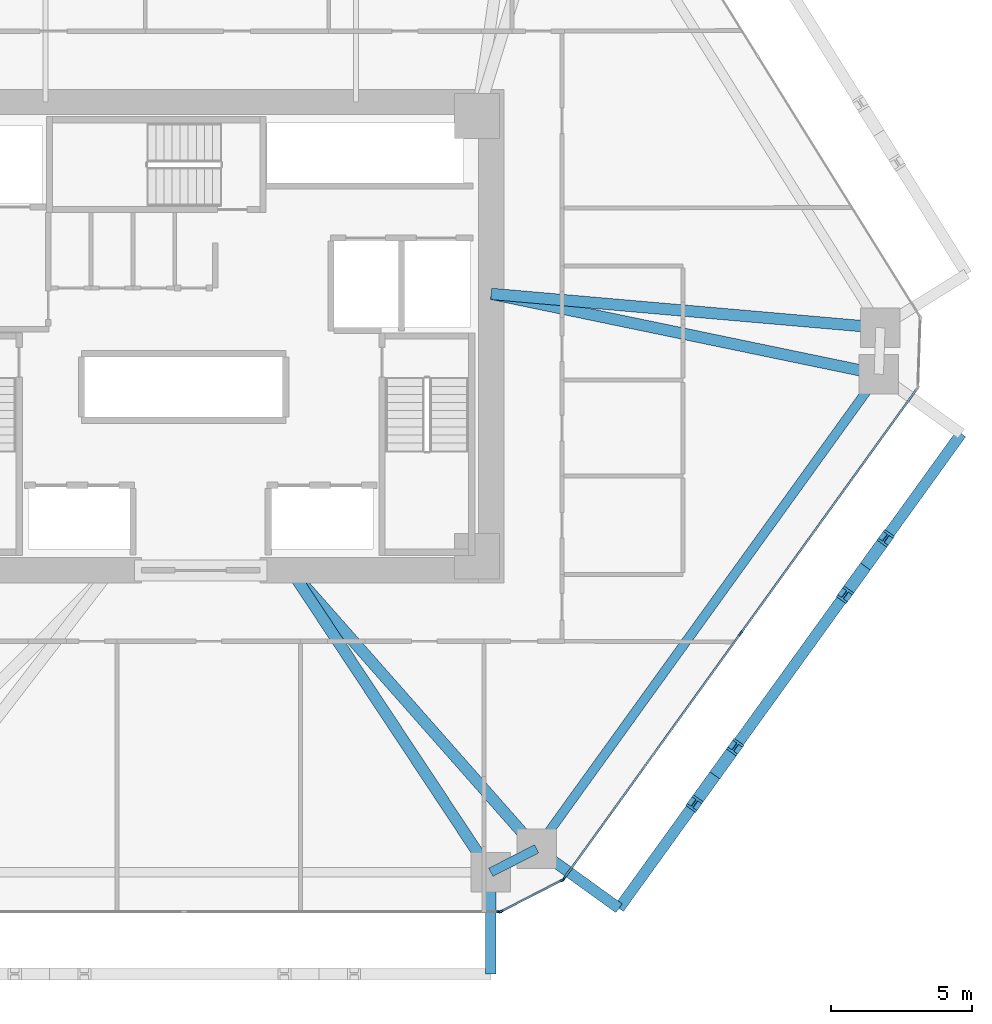
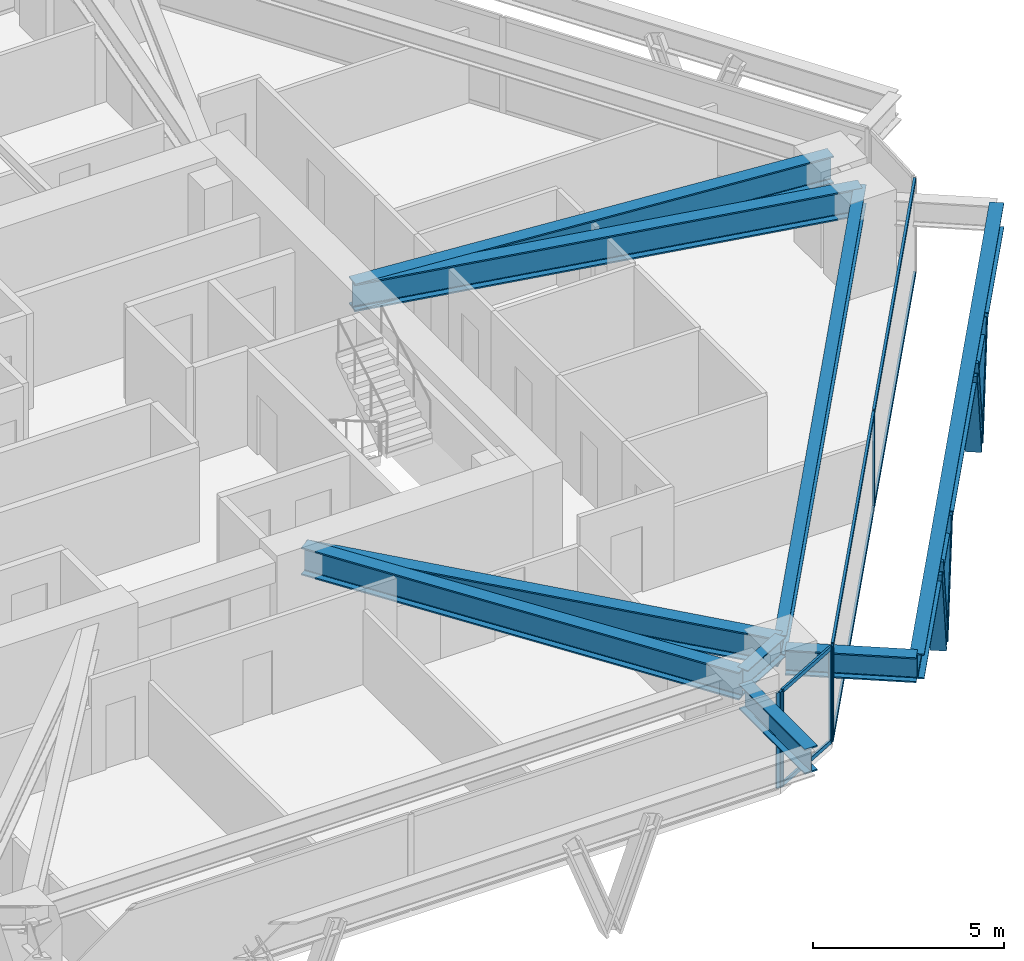
# One storey, part 5 of 15: 15 members, 9 beams, 3 elements without a shape of their own.
"""IFC4 building model written with IfcOpenShell, lengths in metres."""

from ifc_helpers import new_model, si_unit, direction, frame, origin, origin_2d, place, context, subcontext, project, spatial, rectangle, i_section, extrude, source, transform, mapped, material, layer, layer_set, material_profile, profile_set, type_object, type_shapes, element, aggregate, save


model = new_model("IFC4")

# Units and contexts
model_context = context("Model", 3, precision=1e-05, world=origin(), true_north=direction((0.0, 1.0)))
body_context = subcontext(model_context, "Body", "Model", "MODEL_VIEW")
ifc_project = project(units=[si_unit("LENGTHUNIT", "METRE"), si_unit("AREAUNIT", "SQUARE_METRE"), si_unit("VOLUMEUNIT", "CUBIC_METRE"), si_unit("PLANEANGLEUNIT", "RADIAN"), si_unit("MASSUNIT", "GRAM", prefix="KILO")], contexts=[model_context])

# Site, building, storey
site_placement = place(None, origin())
site = spatial("IfcSite", under=ifc_project, at=site_placement, CompositionType="ELEMENT")
building_placement = place(site_placement, origin())
building = spatial("IfcBuilding", under=site, at=building_placement, Name="Durnholm Broadcast Tower", CompositionType="ELEMENT")
storey_placement = place(building_placement, frame((0.0, 0.0, 42.300048828125)))
storey = spatial("IfcBuildingStorey", under=building, at=storey_placement, Name="L09", CompositionType="ELEMENT", Elevation=42.300048828125)

# Beams
ifc_material_1 = material(Name="Steel ASTM A992 Grade 50", Category="steel")
ifc_material_profile_1 = material_profile(ifc_material_1, i_section(OverallWidth=0.3291015625, OverallDepth=0.635009765625, WebThickness=0.017822265625, FlangeThickness=0.031005859375, FilletRadius=0.02783203125, at=origin_2d()), Name="W24X162")
ifc_profile_set_1 = profile_set([ifc_material_profile_1], Name="Steel ASTM A992 Grade 50")
beam_type_1 = type_object("IfcBeamType", Name="STL-SP-W24X162", PredefinedType="SPANDREL", material=ifc_profile_set_1)
shared_shape_1 = source(origin(), body_context, "Body", "SweptSolid", [
    extrude(i_section(OverallWidth=0.3291015625, OverallDepth=0.635009765625, WebThickness=0.017822265625, FlangeThickness=0.031005859375, FilletRadius=0.02783203125, at=origin_2d()), origin(), (0.0, 0.0, 1.0), 20.737060546875),
])
beam_1_placement = place(storey_placement, frame((24.034912109375, -1.347412109375, 2.7275390625), z_axis=(-0.584821933191, -0.811161701795, 0.0), x_axis=(0.811161701795, -0.584821933191, 0.0)))
element("IfcBeam", 1, at=beam_1_placement, inside=storey, type_object=beam_type_1, Name="L09 perimeter spandrel girder 09", PredefinedType="SPANDREL", context=body_context, shape_type="MappedRepresentation", body=[
    mapped(shared_shape_1, transform((0.0, 0.0, 0.0), x_axis=(1.0, 0.0, 0.0), y_axis=(0.0, 1.0, 0.0), z_axis=(0.0, 0.0, 1.0), scale=1.0)),
])
shared_shape_2 = source(origin(), body_context, "Body", "SweptSolid", [
    extrude(i_section(OverallWidth=0.3291015625, OverallDepth=0.635009765625, WebThickness=0.017822265625, FlangeThickness=0.031005859375, FilletRadius=0.02783203125, at=origin_2d()), origin(), (0.0, 0.0, 1.0), 1.8251953125),
])
type_shapes(beam_type_1, [shared_shape_1, shared_shape_2])
beam_2_placement = place(storey_placement, frame((11.907470703125, -18.16845703125, 2.7275390625), z_axis=(-0.890187609501, -0.455594139438, 0.0), x_axis=(0.455594139438, -0.890187609501, 0.0)))
element("IfcBeam", 2, at=beam_2_placement, inside=storey, type_object=beam_type_1, Name="L09 perimeter spandrel girder 10", PredefinedType="SPANDREL", context=body_context, shape_type="MappedRepresentation", body=[
    mapped(shared_shape_2, transform((0.0, 0.0, 0.0), x_axis=(1.0, 0.0, 0.0), y_axis=(0.0, 1.0, 0.0), z_axis=(0.0, 0.0, 1.0), scale=1.0)),
])
ifc_material_profile_2 = material_profile(ifc_material_1, i_section(OverallWidth=0.404052734375, OverallDepth=0.885009765625, WebThickness=0.0244140625, FlangeThickness=0.0439453125, FilletRadius=0.03564453125, at=origin_2d()), Name="W33X291")
ifc_profile_set_2 = profile_set([ifc_material_profile_2], Name="Steel ASTM A992 Grade 50")
beam_type_2 = type_object("IfcBeamType", Name="STL-GR-W33X291", PredefinedType="USERDEFINED", material=ifc_profile_set_2)
shared_shape_3 = source(origin(), body_context, "Body", "SweptSolid", [
    extrude(i_section(OverallWidth=0.404052734375, OverallDepth=0.885009765625, WebThickness=0.0244140625, FlangeThickness=0.0439453125, FilletRadius=0.03564453125, at=origin_2d()), origin(), (0.0, 0.0, 1.0), 13.843017578125),
])
beam_3_placement = place(storey_placement, frame((10.300048828125, 1.5, 2.6025390625), z_axis=(0.996234364864, -0.086701154915, 0.0), x_axis=(0.086701154915, 0.996234364864, 0.0)))
element("IfcBeam", 3, at=beam_3_placement, inside=storey, type_object=beam_type_2, Name="L09 radial primary floor girder 08", ObjectType="GIRDER", PredefinedType="USERDEFINED", context=body_context, shape_type="MappedRepresentation", body=[
    mapped(shared_shape_3, transform((0.0, 0.0, 0.0), x_axis=(1.0, 0.0, 0.0), y_axis=(0.0, 1.0, 0.0), z_axis=(0.0, 0.0, 1.0), scale=1.0)),
])
shared_shape_4 = source(origin(), body_context, "Body", "SweptSolid", [
    extrude(i_section(OverallWidth=0.404052734375, OverallDepth=0.885009765625, WebThickness=0.0244140625, FlangeThickness=0.0439453125, FilletRadius=0.03564453125, at=origin_2d()), origin(), (0.0, 0.0, 1.0), 14.02685546875),
])
beam_4_placement = place(storey_placement, frame((10.300048828125, 1.5, 2.6025390625), z_axis=(0.979179487914, -0.202996380382, 0.0), x_axis=(0.202996380382, 0.979179487914, 0.0)))
element("IfcBeam", 4, at=beam_4_placement, inside=storey, type_object=beam_type_2, Name="L09 radial primary floor girder 09", ObjectType="GIRDER", PredefinedType="USERDEFINED", context=body_context, shape_type="MappedRepresentation", body=[
    mapped(shared_shape_4, transform((0.0, 0.0, 0.0), x_axis=(1.0, 0.0, 0.0), y_axis=(0.0, 1.0, 0.0), z_axis=(0.0, 0.0, 1.0), scale=1.0)),
])
shared_shape_5 = source(origin(), body_context, "Body", "SweptSolid", [
    extrude(i_section(OverallWidth=0.404052734375, OverallDepth=0.885009765625, WebThickness=0.0244140625, FlangeThickness=0.0439453125, FilletRadius=0.03564453125, at=origin_2d()), origin(), (0.0, 0.0, 1.0), 13.160888671875),
])
beam_5_placement = place(storey_placement, frame((3.199951171875, -8.300048828125, 2.6025390625), z_axis=(0.661625931866, -0.749834065832, 0.0), x_axis=(0.749834065832, 0.661625931866, 0.0)))
element("IfcBeam", 5, at=beam_5_placement, inside=storey, type_object=beam_type_2, Name="L09 radial primary floor girder 10", ObjectType="GIRDER", PredefinedType="USERDEFINED", context=body_context, shape_type="MappedRepresentation", body=[
    mapped(shared_shape_5, transform((0.0, 0.0, 0.0), x_axis=(1.0, 0.0, 0.0), y_axis=(0.0, 1.0, 0.0), z_axis=(0.0, 0.0, 1.0), scale=1.0)),
])
shared_shape_6 = source(origin(), body_context, "Body", "SweptSolid", [
    extrude(i_section(OverallWidth=0.404052734375, OverallDepth=0.885009765625, WebThickness=0.0244140625, FlangeThickness=0.0439453125, FilletRadius=0.03564453125, at=origin_2d()), origin(), (0.0, 0.0, 1.0), 12.831787109375),
])
type_shapes(beam_type_2, [shared_shape_3, shared_shape_4, shared_shape_5, shared_shape_6])
beam_6_placement = place(storey_placement, frame((3.199951171875, -8.300048828125, 2.6025390625), z_axis=(0.551970609544, -0.833863565699, 0.0), x_axis=(0.833863565699, 0.551970609544, 0.0)))
element("IfcBeam", 6, at=beam_6_placement, inside=storey, type_object=beam_type_2, Name="L09 radial primary floor girder 11", ObjectType="GIRDER", PredefinedType="USERDEFINED", context=body_context, shape_type="MappedRepresentation", body=[
    mapped(shared_shape_6, transform((0.0, 0.0, 0.0), x_axis=(1.0, 0.0, 0.0), y_axis=(0.0, 1.0, 0.0), z_axis=(0.0, 0.0, 1.0), scale=1.0)),
])
ifc_material_profile_3 = material_profile(ifc_material_1, i_section(OverallWidth=0.385009765625, OverallDepth=0.802978515625, WebThickness=0.023681640625, FlangeThickness=0.0419921875, FilletRadius=0.032958984375, at=origin_2d()), Name="W30X261")
ifc_profile_set_3 = profile_set([ifc_material_profile_3], Name="Steel ASTM A992 Grade 50")
beam_type_3 = type_object("IfcBeamType", Name="BM-EXO-TIE", PredefinedType="USERDEFINED", material=ifc_profile_set_3)
shared_shape_7 = source(origin(), body_context, "Body", "SweptSolid", [
    extrude(i_section(OverallWidth=0.385009765625, OverallDepth=0.802978515625, WebThickness=0.023681640625, FlangeThickness=0.0419921875, FilletRadius=0.032958984375, at=origin_2d()), origin(), (0.0, 0.0, 1.0), 3.4560546875),
])
for number, where, z_axis, x_axis, name in (
    (7, (10.28271484375, -19.14404296875, 2.30859375), (0.0, -1.0, 0.0), (1.0, 0.0, 0.0), "L09 exoskeleton stand-off tie bracket F1.2"),
    (8, (12.024169921875, -18.252685546875, 2.30859375), (0.811157675106, -0.584827518262, 0.0), (0.584827518262, 0.811157675106, 0.0), "L09 exoskeleton stand-off tie bracket F2.1"),
):
    element("IfcBeam", number, at=place(storey_placement, frame(where, z_axis=z_axis, x_axis=x_axis)), inside=storey, type_object=beam_type_3, Name=name, ObjectType="GIRDER", PredefinedType="USERDEFINED", context=body_context, shape_type="MappedRepresentation", body=[
        mapped(shared_shape_7, transform((0.0, 0.0, 0.0), x_axis=(1.0, 0.0, 0.0), y_axis=(0.0, 1.0, 0.0), z_axis=(0.0, 0.0, 1.0), scale=1.0)),
    ])
shared_shape_8 = source(origin(), body_context, "Body", "SweptSolid", [
    extrude(i_section(OverallWidth=0.385009765625, OverallDepth=0.802978515625, WebThickness=0.023681640625, FlangeThickness=0.0419921875, FilletRadius=0.032958984375, at=origin_2d()), origin(), (0.0, 0.0, 1.0), 20.737060546875),
])
type_shapes(beam_type_3, [shared_shape_7, shared_shape_8])
beam_7_placement = place(storey_placement, frame((14.82763671875, -20.27392578125, 2.30859375), z_axis=(0.5848163482, 0.811165728368, 0.0), x_axis=(-0.811165728368, 0.5848163482, 0.0)))
element("IfcBeam", 9, at=beam_7_placement, inside=storey, type_object=beam_type_3, Name="L09 exoskeleton collector spandrel F2", PredefinedType="SPANDREL", context=body_context, shape_type="MappedRepresentation", body=[
    mapped(shared_shape_8, transform((0.0, 0.0, 0.0), x_axis=(1.0, 0.0, 0.0), y_axis=(0.0, 1.0, 0.0), z_axis=(0.0, 0.0, 1.0), scale=1.0)),
])

# Members
ifc_material_2 = material(Name="Steel ASTM A913 Grade 65", Category="steel")
ifc_material_profile_4 = material_profile(ifc_material_2, i_section(OverallWidth=0.43212890625, OverallDepth=0.497802734375, WebThickness=0.0556640625, FlangeThickness=0.0888671875, FilletRadius=0.030517578125, at=origin_2d()), Name="W14X500")
ifc_profile_set_4 = profile_set([ifc_material_profile_4], Name="Steel ASTM A913 Grade 65")
member_type_1 = type_object("IfcMemberType", Name="STL-DG-W14X500", PredefinedType="BRACE", material=ifc_profile_set_4)
shared_shape_9 = source(origin(), body_context, "Body", "SweptSolid", [
    extrude(i_section(OverallWidth=0.43212890625, OverallDepth=0.497802734375, WebThickness=0.0556640625, FlangeThickness=0.0888671875, FilletRadius=0.030517578125, at=origin_2d()), origin(), (0.0, 0.0, 1.0), 3.523193359375),
])
type_shapes(member_type_1, [shared_shape_9])
for number, where, z_axis, x_axis, name in (
    (10, (18.223388671875, -15.56396484375, -0.991455078125), (-0.204839138341, -0.284044529113, 0.93667477434), (0.81109123444, -0.58491966065, 0.0), "L09 stand-off diagrid brace F2.D1.1"),
    (11, (18.223388671875, -15.56396484375, -0.991455078125), (0.20477274847, 0.284048560399, 0.936688068046), (-0.811185111535, 0.584789461963, 0.0), "L09 stand-off diagrid brace F2.D1.2"),
    (12, (23.5595703125, -8.16259765625, -0.991455078125), (-0.204839138341, -0.284044529113, 0.93667477434), (0.81109123444, -0.58491966065, 0.0), "L09 stand-off diagrid brace F2.D2.1"),
    (13, (23.5595703125, -8.16259765625, -0.991455078125), (0.20477274847, 0.284048560399, 0.936688068046), (-0.811185111535, 0.584789461963, 0.0), "L09 stand-off diagrid brace F2.D2.2"),
):
    element("IfcMember", number, at=place(storey_placement, frame(where, z_axis=z_axis, x_axis=x_axis)), inside=storey, type_object=member_type_1, Name=name, PredefinedType="BRACE", context=body_context, shape_type="MappedRepresentation", body=[
        mapped(shared_shape_9, transform((0.0, 0.0, 0.0), x_axis=(1.0, 0.0, 0.0), y_axis=(0.0, 1.0, 0.0), z_axis=(0.0, 0.0, 1.0), scale=1.0)),
    ])

# Curtain wall, members
ifc_material_3 = material(Name="Aluminium and Solar Control IGU", Category="aluminium")
ifc_layer_1 = layer(ifc_material_3, 0.1650390625)
ifc_layer_set_1 = layer_set([ifc_layer_1], Name="Aluminium and Solar Control IGU")
curtain_wall_type_1 = type_object("IfcCurtainWallType", Name="CW-SYS-5", PredefinedType="NOTDEFINED", material=ifc_layer_set_1)
curtain_wall_1_placement = place(storey_placement, origin())
curtain_wall_1 = element("IfcCurtainWall", 14, at=curtain_wall_1_placement, inside=storey, type_object=curtain_wall_type_1, Name="L09 curtain wall CW-CORNER CW-L09-CRN-09", PredefinedType="NOTDEFINED")
ifc_material_4 = material(Name="Aluminium 6063-T6", Category="aluminium")
ifc_material_profile_5 = material_profile(ifc_material_4, rectangle(XDim=0.06494140625, YDim=0.1650390625, at=origin_2d()), Name="CWM65X165")
ifc_profile_set_5 = profile_set([ifc_material_profile_5], Name="Aluminium 6063-T6")
member_type_2 = type_object("IfcMemberType", Name="CW-SYS-5-MUL", PredefinedType="MULLION", material=ifc_profile_set_5)
shared_shape_10 = source(origin(), body_context, "Body", "SweptSolid", [
    extrude(rectangle(XDim=0.06494140625, YDim=0.1650390625, at=origin_2d()), origin(), (0.0, 0.0, 1.0), 3.06005859375),
])
type_shapes(member_type_2, [shared_shape_10])
member_1_placement = place(storey_placement, frame((12.816650390625, -19.27587890625, 0.0), z_axis=(0.0, 0.0, 1.0), x_axis=(0.455593758406, -0.890187804512, 0.0)))
member_1 = element("IfcMember", 15, at=member_1_placement, type_object=member_type_2, Name="CW-CORNER mullion 1", PredefinedType="MULLION", context=body_context, shape_type="MappedRepresentation", body=[
    mapped(shared_shape_10, transform((0.0, 0.0, 0.0), x_axis=(1.0, 0.0, 0.0), y_axis=(0.0, 1.0, 0.0), z_axis=(0.0, 0.0, 1.0), scale=1.0)),
])
member_2_placement = place(storey_placement, frame((10.649169921875, -20.38525390625, 0.0), z_axis=(0.0, 0.0, 1.0), x_axis=(0.455593758406, -0.890187804512, 0.0)))
member_2 = element("IfcMember", 16, at=member_2_placement, type_object=member_type_2, Name="CW-CORNER mullion 2", PredefinedType="MULLION", context=body_context, shape_type="MappedRepresentation", body=[
    mapped(shared_shape_10, transform((0.0, 0.0, 0.0), x_axis=(1.0, 0.0, 0.0), y_axis=(0.0, 1.0, 0.0), z_axis=(0.0, 0.0, 1.0), scale=1.0)),
])
ifc_material_profile_6 = material_profile(ifc_material_4, rectangle(XDim=0.06494140625, YDim=0.1298828125, at=origin_2d()), Name="CWT65X130")
ifc_profile_set_6 = profile_set([ifc_material_profile_6], Name="Aluminium 6063-T6")
member_type_3 = type_object("IfcMemberType", Name="CW-SYS-5-TRN", PredefinedType="USERDEFINED", material=ifc_profile_set_6)
shared_shape_11 = source(origin(), body_context, "Body", "SweptSolid", [
    extrude(rectangle(XDim=0.06494140625, YDim=0.1298828125, at=origin_2d()), origin(), (0.0, 0.0, 1.0), 2.3701171875),
])
type_shapes(member_type_3, [shared_shape_11])
member_3_placement = place(storey_placement, frame((12.787841796875, -19.29052734375, 0.032470703125), z_axis=(-0.890185016934, -0.455599205033, 0.0), x_axis=(0.455599205033, -0.890185016934, 0.0)))
member_3 = element("IfcMember", 17, at=member_3_placement, type_object=member_type_3, Name="CW-CORNER transom 1.1", ObjectType="TRANSOM", PredefinedType="USERDEFINED", context=body_context, shape_type="MappedRepresentation", body=[
    mapped(shared_shape_11, transform((0.0, 0.0, 0.0), x_axis=(1.0, 0.0, 0.0), y_axis=(0.0, 1.0, 0.0), z_axis=(0.0, 0.0, 1.0), scale=1.0)),
])
member_4_placement = place(storey_placement, frame((12.787841796875, -19.29052734375, 3.02734375), z_axis=(-0.890185016934, -0.455599205033, 0.0), x_axis=(0.455599205033, -0.890185016934, 0.0)))
member_4 = element("IfcMember", 18, at=member_4_placement, type_object=member_type_3, Name="CW-CORNER transom 1.2", ObjectType="TRANSOM", PredefinedType="USERDEFINED", context=body_context, shape_type="MappedRepresentation", body=[
    mapped(shared_shape_11, transform((0.0, 0.0, 0.0), x_axis=(1.0, 0.0, 0.0), y_axis=(0.0, 1.0, 0.0), z_axis=(0.0, 0.0, 1.0), scale=1.0)),
])
aggregate(curtain_wall_1, [member_1, member_2, member_3, member_4])

ifc_layer_2 = layer(ifc_material_3, 0.18994140625)
ifc_layer_set_2 = layer_set([ifc_layer_2], Name="Aluminium and Solar Control IGU")
curtain_wall_type_2 = type_object("IfcCurtainWallType", Name="CW-SYS-3", PredefinedType="NOTDEFINED", material=ifc_layer_set_2)
curtain_wall_2_placement = place(storey_placement, origin())
curtain_wall_2 = element("IfcCurtainWall", 19, at=curtain_wall_2_placement, inside=storey, type_object=curtain_wall_type_2, Name="L09 curtain wall CW-Z12-VIS CW-L09-F08", PredefinedType="NOTDEFINED")
ifc_material_profile_7 = material_profile(ifc_material_4, rectangle(XDim=0.070068359375, YDim=0.18994140625, at=origin_2d()), Name="CWM70X190")
ifc_profile_set_7 = profile_set([ifc_material_profile_7], Name="Aluminium 6063-T6")
member_type_4 = type_object("IfcMemberType", Name="CW-SYS-3-MUL", PredefinedType="MULLION", material=ifc_profile_set_7)
shared_shape_12 = source(origin(), body_context, "Body", "SweptSolid", [
    extrude(rectangle(XDim=0.070068359375, YDim=0.18994140625, at=origin_2d()), origin(), (0.0, 0.0, 1.0), 3.06005859375),
])
type_shapes(member_type_4, [shared_shape_12])
member_5_placement = place(storey_placement, frame((19.1328125, -10.540771484375, 0.0), z_axis=(0.0, 0.0, 1.0), x_axis=(0.81116057493, -0.584823496176, 0.0)))
member_5 = element("IfcMember", 20, at=member_5_placement, type_object=member_type_4, Name="CW-Z12-VIS mullion 2", PredefinedType="MULLION", context=body_context, shape_type="MappedRepresentation", body=[
    mapped(shared_shape_12, transform((0.0, 0.0, 0.0), x_axis=(1.0, 0.0, 0.0), y_axis=(0.0, 1.0, 0.0), z_axis=(0.0, 0.0, 1.0), scale=1.0)),
])
member_6_placement = place(storey_placement, frame((12.8662109375, -19.232666015625, 0.0), z_axis=(0.0, 0.0, 1.0), x_axis=(0.81116057493, -0.584823496176, 0.0)))
member_6 = element("IfcMember", 21, at=member_6_placement, type_object=member_type_4, Name="CW-Z12-VIS mullion 3", PredefinedType="MULLION", context=body_context, shape_type="MappedRepresentation", body=[
    mapped(shared_shape_12, transform((0.0, 0.0, 0.0), x_axis=(1.0, 0.0, 0.0), y_axis=(0.0, 1.0, 0.0), z_axis=(0.0, 0.0, 1.0), scale=1.0)),
])

# Curtain wall, member
curtain_wall_3_placement = place(storey_placement, origin())
curtain_wall_3 = element("IfcCurtainWall", 22, at=curtain_wall_3_placement, inside=storey, type_object=curtain_wall_type_2, Name="L09 curtain wall CW-Z12-VIS CW-L09-F10", PredefinedType="NOTDEFINED")
member_7_placement = place(storey_placement, frame((10.585205078125, -20.39990234375, 0.0), z_axis=(0.0, 0.0, 1.0), x_axis=(0.0, -1.0, 0.0)))
member_7 = element("IfcMember", 23, at=member_7_placement, type_object=member_type_4, Name="CW-Z12-VIS mullion 1", PredefinedType="MULLION", context=body_context, shape_type="MappedRepresentation", body=[
    mapped(shared_shape_12, transform((0.0, 0.0, 0.0), x_axis=(1.0, 0.0, 0.0), y_axis=(0.0, 1.0, 0.0), z_axis=(0.0, 0.0, 1.0), scale=1.0)),
])
aggregate(curtain_wall_3, [member_7])

# Member
ifc_material_profile_8 = material_profile(ifc_material_4, rectangle(XDim=0.070068359375, YDim=0.14990234375, at=origin_2d()), Name="CWT70X150")
ifc_profile_set_8 = profile_set([ifc_material_profile_8], Name="Aluminium 6063-T6")
member_type_5 = type_object("IfcMemberType", Name="CW-SYS-3-TRN", PredefinedType="USERDEFINED", material=ifc_profile_set_8)
shared_shape_13 = source(origin(), body_context, "Body", "SweptSolid", [
    extrude(rectangle(XDim=0.070068359375, YDim=0.14990234375, at=origin_2d()), origin(), (0.0, 0.0, 1.0), 10.6455078125),
])
member_8_placement = place(storey_placement, frame((25.37890625, -1.877197265625, 0.034912109375), z_axis=(-0.584812103659, -0.811168788486, 0.0), x_axis=(0.811168788486, -0.584812103659, 0.0)))
member_8 = element("IfcMember", 24, at=member_8_placement, type_object=member_type_5, Name="CW-Z12-VIS transom 1.1", ObjectType="TRANSOM", PredefinedType="USERDEFINED", context=body_context, shape_type="MappedRepresentation", body=[
    mapped(shared_shape_13, transform((0.0, 0.0, 0.0), x_axis=(1.0, 0.0, 0.0), y_axis=(0.0, 1.0, 0.0), z_axis=(0.0, 0.0, 1.0), scale=1.0)),
])

member_9_placement = place(storey_placement, frame((25.37890625, -1.877197265625, 3.02490234375), z_axis=(-0.584812103659, -0.811168788486, 0.0), x_axis=(0.811168788486, -0.584812103659, 0.0)))
member_9 = element("IfcMember", 25, at=member_9_placement, type_object=member_type_5, Name="CW-Z12-VIS transom 1.2", ObjectType="TRANSOM", PredefinedType="USERDEFINED", context=body_context, shape_type="MappedRepresentation", body=[
    mapped(shared_shape_13, transform((0.0, 0.0, 0.0), x_axis=(1.0, 0.0, 0.0), y_axis=(0.0, 1.0, 0.0), z_axis=(0.0, 0.0, 1.0), scale=1.0)),
])

shared_shape_14 = source(origin(), body_context, "Body", "SweptSolid", [
    extrude(rectangle(XDim=0.070068359375, YDim=0.14990234375, at=origin_2d()), origin(), (0.0, 0.0, 1.0), 10.645263671875),
])
type_shapes(member_type_5, [shared_shape_13, shared_shape_14])
member_10_placement = place(storey_placement, frame((19.1123046875, -10.569091796875, 0.034912109375), z_axis=(-0.584822983179, -0.811160944786, 0.0), x_axis=(0.811160944786, -0.584822983179, 0.0)))
member_10 = element("IfcMember", 26, at=member_10_placement, type_object=member_type_5, Name="CW-Z12-VIS transom 2.1", ObjectType="TRANSOM", PredefinedType="USERDEFINED", context=body_context, shape_type="MappedRepresentation", body=[
    mapped(shared_shape_14, transform((0.0, 0.0, 0.0), x_axis=(1.0, 0.0, 0.0), y_axis=(0.0, 1.0, 0.0), z_axis=(0.0, 0.0, 1.0), scale=1.0)),
])

member_11_placement = place(storey_placement, frame((19.1123046875, -10.569091796875, 3.02490234375), z_axis=(-0.584822983179, -0.811160944786, 0.0), x_axis=(0.811160944786, -0.584822983179, 0.0)))
member_11 = element("IfcMember", 27, at=member_11_placement, type_object=member_type_5, Name="CW-Z12-VIS transom 2.2", ObjectType="TRANSOM", PredefinedType="USERDEFINED", context=body_context, shape_type="MappedRepresentation", body=[
    mapped(shared_shape_14, transform((0.0, 0.0, 0.0), x_axis=(1.0, 0.0, 0.0), y_axis=(0.0, 1.0, 0.0), z_axis=(0.0, 0.0, 1.0), scale=1.0)),
])

aggregate(curtain_wall_2, [member_5, member_6, member_8, member_9, member_10, member_11])

save(model, "model.ifc")
